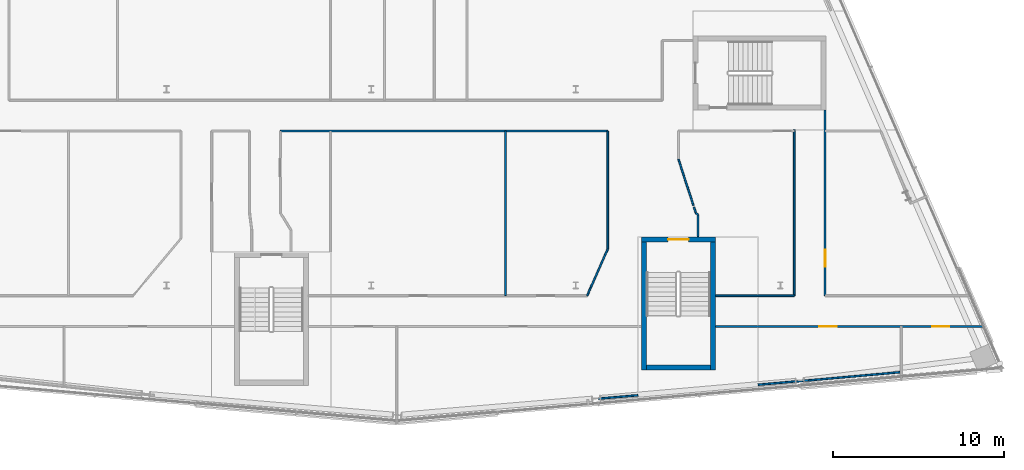
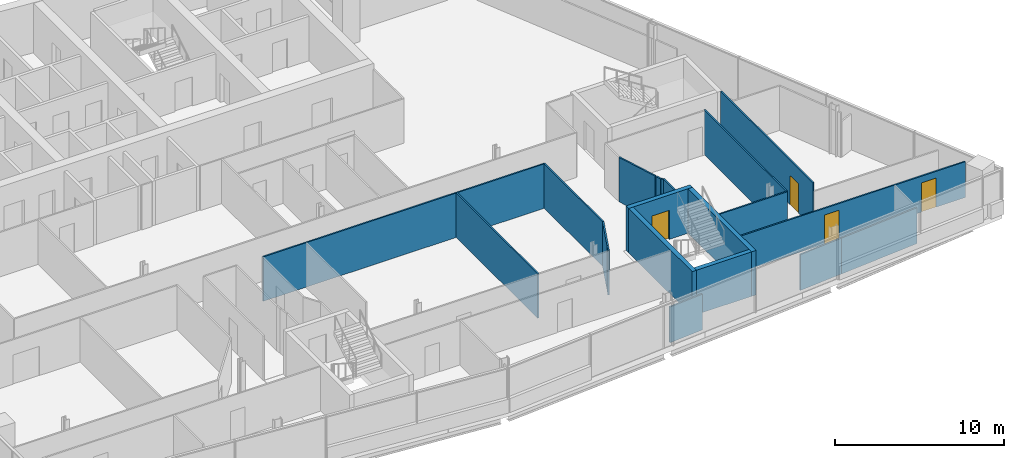
# One storey, part 16 of 22: 21 walls, 4 doors, 4 openings.
"""IFC4 building model written with IfcOpenShell, lengths in metres."""

import ifcopenshell
import ifcopenshell.guid

model = None  # the IFC model being written
_history = None  # IfcOwnerHistory: only IFC2X3 demands one
_inside = {}  # id of a spatial element -> (the spatial element, [elements in it])
_under = {}  # id of a project, library or spatial element -> (it, [spatial elements below it])
_declared = {}  # id of a project -> (the project, [libraries it declares])
_typed = {}  # id of a type object -> (the type object, [elements of that type])
_made_of = {}  # id of a material, layer set ... -> (it, [elements and type objects made of it])


def new_model(schema):
    """Start an empty IFC model of exactly this schema.

    Asked for "IFC4X3", IfcOpenShell would pick the latest addendum, in which some entities
    have other attributes; the version numbers below select the first issue.
    IFC2X3 requires an IfcOwnerHistory on every rooted entity: one is made here for all.
    """
    global model, _history
    if schema == "IFC4X3":
        model = ifcopenshell.file(schema_version=(4, 3, 0, 0))
    else:
        model = ifcopenshell.file(schema=schema)
    _inside.clear()
    _under.clear()
    _declared.clear()
    _typed.clear()
    _made_of.clear()
    _history = None
    if model.schema == "IFC2X3":
        org = make("IfcOrganization", Name="unknown")
        user = make(
            "IfcPersonAndOrganization",
            ThePerson=make("IfcPerson", FamilyName="unknown"),
            TheOrganization=org,
        )
        app = make(
            "IfcApplication",
            ApplicationDeveloper=org,
            Version="unknown",
            ApplicationFullName="unknown",
            ApplicationIdentifier="unknown",
        )
        _history = make(
            "IfcOwnerHistory",
            OwningUser=user,
            OwningApplication=app,
            ChangeAction="ADDED",
            CreationDate=0,
        )
    return model


def make(cls, **values):
    """One entity of the class cls with the attributes given. An attribute that is None is left unset."""
    return model.create_entity(
        cls, **{name: value for name, value in values.items() if value is not None}
    )


def rooted(cls, **values):
    """An entity with a GlobalId (a new one), such as an element, a storey or a relation."""
    return make(cls, GlobalId=ifcopenshell.guid.new(), OwnerHistory=_history, **values)


def si_unit(unit_type, name, prefix=None):
    """IfcSIUnit, for example si_unit("LENGTHUNIT", "METRE", prefix="MILLI")."""
    return make("IfcSIUnit", UnitType=unit_type, Prefix=prefix, Name=name)


def assignment(units):
    """IfcUnitAssignment: the units of a project."""
    return None if units is None else make("IfcUnitAssignment", Units=units)


def point(xyz):
    """IfcCartesianPoint."""
    return None if xyz is None else make("IfcCartesianPoint", Coordinates=xyz)


def direction(xyz):
    """IfcDirection."""
    return None if xyz is None else make("IfcDirection", DirectionRatios=xyz)


def frame(location, z_axis=None, x_axis=None):
    """IfcAxis2Placement3D, a coordinate frame: its origin and axes. An axis left out is left unset."""
    return make(
        "IfcAxis2Placement3D",
        Location=point(location),
        Axis=direction(z_axis),
        RefDirection=direction(x_axis),
    )


def frame_2d(location, x_axis=None):
    """IfcAxis2Placement2D, a coordinate frame in the plane: its origin and x axis."""
    return make(
        "IfcAxis2Placement2D", Location=point(location), RefDirection=direction(x_axis)
    )


def origin():
    """The frame at (0, 0, 0) with its axes left unset."""
    return frame((0.0, 0.0, 0.0))


def place(relative_to, where):
    """IfcLocalPlacement: puts the frame where relative to a parent placement (None: the world)."""
    return make(
        "IfcLocalPlacement", PlacementRelTo=relative_to, RelativePlacement=where
    )


def context(
    kind, dimensions, precision=None, world=None, true_north=None, identifier=None
):
    """IfcGeometricRepresentationContext, for example the 3D "Model" context."""
    return make(
        "IfcGeometricRepresentationContext",
        ContextIdentifier=identifier,
        ContextType=kind,
        CoordinateSpaceDimension=dimensions,
        Precision=precision,
        WorldCoordinateSystem=world,
        TrueNorth=true_north,
    )


def subcontext(parent, identifier, kind, view, scale=None):
    """IfcGeometricRepresentationSubContext, for example "Body" below "Model"."""
    return make(
        "IfcGeometricRepresentationSubContext",
        ContextIdentifier=identifier,
        ContextType=kind,
        ParentContext=parent,
        TargetScale=scale,
        TargetView=view,
    )


def project(units=None, contexts=None):
    """IfcProject with its units and contexts."""
    return rooted(
        "IfcProject",
        Name="project",
        RepresentationContexts=contexts,
        UnitsInContext=assignment(units),
    )


def spatial(cls, under=None, at=None, **own):
    """A site, building, storey or space (cls), placed at a placement, below another one or the project."""
    s = rooted(cls, ObjectPlacement=at, **own)
    if under is not None:
        _under.setdefault(under.id(), (under, []))[1].append(s)
    return s


def profile(cls, at=None, kind="AREA", **sizes):
    """A parametric profile (cls). Its sizes go by their IFC names, for example OverallWidth=200.0."""
    return make(cls, ProfileType=kind, Position=at, **sizes)


def rectangle(**sizes):
    """IfcRectangleProfileDef."""
    return profile("IfcRectangleProfileDef", **sizes)


def extrude(swept, where, along, depth):
    """IfcExtrudedAreaSolid: the profile swept, set in the frame where, extruded along a direction by depth."""
    return make(
        "IfcExtrudedAreaSolid",
        SweptArea=swept,
        Position=where,
        ExtrudedDirection=direction(along),
        Depth=depth,
    )


def shape(context_of_items, identifier, shape_type, items):
    """IfcShapeRepresentation: the items that make up one representation, for example the "Body"."""
    return make(
        "IfcShapeRepresentation",
        ContextOfItems=context_of_items,
        RepresentationIdentifier=identifier,
        RepresentationType=shape_type,
        Items=items,
    )


def material(Name=None, Category=None):
    """IfcMaterial."""
    return make("IfcMaterial", Name=Name, Category=Category)


def layer(
    of_material, thickness, ventilated=None, Name=None, Category=None, Priority=None
):
    """IfcMaterialLayer: one layer of a wall or slab, of a material (None: an air gap)."""
    return make(
        "IfcMaterialLayer",
        Material=of_material,
        LayerThickness=thickness,
        IsVentilated=ventilated,
        Name=Name,
        Category=Category,
        Priority=Priority,
    )


def layer_set(layers, Name=None):
    """IfcMaterialLayerSet."""
    return make("IfcMaterialLayerSet", MaterialLayers=layers, LayerSetName=Name)


def made_of(thing, what):
    """Note that an element or type object is made of a material, layer set ...; save() writes the relation."""
    if what is not None:
        _made_of.setdefault(what.id(), (what, []))[1].append(thing)
    return thing


def type_object(cls, material=None, **own):
    """A type object (cls), such as IfcWallType, which elements share."""
    return made_of(rooted(cls, **own), material)


def element(
    cls,
    number,
    at=None,
    inside=None,
    cuts=None,
    type_object=None,
    material=None,
    context=None,
    identifier="Body",
    shape_type=None,
    held_by="IfcProductDefinitionShape",
    body=None,
    shapes=None,
    **own,
):
    """One element of the class cls, such as IfcWall. Its Tag is "e" and its number.

    at: its placement. inside: the storey or other place that contains it. cuts: it is an
    opening in that element (IfcRelVoidsElement). A single representation is given by context,
    identifier, shape_type and body (its items); several are given by shapes. held_by: the class
    of the entity that holds the representations. save() writes the other relations.
    """
    e = rooted(cls, Tag="e%d" % number, ObjectPlacement=at, **own)
    if body is not None:
        shapes = [shape(context, identifier, shape_type, body)]
    if shapes is not None:
        e.Representation = make(held_by, Representations=shapes)
    if inside is not None:
        _inside.setdefault(inside.id(), (inside, []))[1].append(e)
    if cuts is not None:
        rooted(
            "IfcRelVoidsElement", RelatingBuildingElement=cuts, RelatedOpeningElement=e
        )
    if type_object is not None:
        _typed.setdefault(type_object.id(), (type_object, []))[1].append(e)
    return made_of(e, material)


def fill(opening, filler):
    """IfcRelFillsElement: the door or window that sits in an opening."""
    return rooted(
        "IfcRelFillsElement",
        RelatingOpeningElement=opening,
        RelatedBuildingElement=filler,
    )


def aggregate(whole, parts):
    """IfcRelAggregates: a whole, such as a stair, and the parts it consists of."""
    return rooted("IfcRelAggregates", RelatingObject=whole, RelatedObjects=parts)


def save(model, path):
    """Write the relations noted so far, then the file.

    IfcRelAggregates (storeys below a building ...), IfcRelContainedInSpatialStructure (elements
    in a storey), IfcRelDefinesByType, IfcRelAssociatesMaterial and IfcRelDeclares: one each for
    every whole, place, type object, material and project.
    """
    for whole, parts in _under.values():
        aggregate(whole, parts)
    for where, things in _inside.values():
        rooted(
            "IfcRelContainedInSpatialStructure",
            RelatedElements=things,
            RelatingStructure=where,
        )
    for kind, things in _typed.values():
        rooted("IfcRelDefinesByType", RelatedObjects=things, RelatingType=kind)
    for what, things in _made_of.values():
        rooted("IfcRelAssociatesMaterial", RelatedObjects=things, RelatingMaterial=what)
    for by, libraries in _declared.values():
        rooted("IfcRelDeclares", RelatingContext=by, RelatedDefinitions=libraries)
    model.write(path)


model = new_model("IFC4")

# Units and contexts
model_context = context("Model", 3, precision=1e-05, world=origin(), true_north=direction((0.0, 1.0)))
body_context = subcontext(model_context, "Body", "Model", "MODEL_VIEW")
ifc_project = project(units=[si_unit("LENGTHUNIT", "METRE"), si_unit("AREAUNIT", "SQUARE_METRE"), si_unit("VOLUMEUNIT", "CUBIC_METRE"), si_unit("PLANEANGLEUNIT", "RADIAN"), si_unit("MASSUNIT", "GRAM", prefix="KILO")], contexts=[model_context])

# Site, building, storey
site_placement = place(None, origin())
site = spatial("IfcSite", under=ifc_project, at=site_placement, CompositionType="ELEMENT")
building_placement = place(site_placement, origin())
building = spatial("IfcBuilding", under=site, at=building_placement, Name="Wharfspan Tower", CompositionType="ELEMENT")
storey_placement = place(building_placement, frame((0.0, 0.0, 246.699951)))
storey = spatial("IfcBuildingStorey", under=building, at=storey_placement, Name="L62", CompositionType="ELEMENT", Elevation=246.699951)

# Walls
ifc_material_1 = material(Name="Gypsum board on steel studs", Category="steel")
ifc_layer_1 = layer(ifc_material_1, 0.100098)
ifc_layer_set_1 = layer_set([ifc_layer_1], Name="Gypsum board on steel studs")
wall_type_1 = type_object("IfcWallType", Name="Compartment wall 100 EI 60", PredefinedType="PARTITIONING", material=ifc_layer_set_1)
wall_1_placement = place(storey_placement, frame((42.679932, 20.554932, 0.0), z_axis=(0.0, 0.0, 1.0), x_axis=(1.0, 0.0, 0.0)))
element("IfcWall", 1, at=wall_1_placement, inside=storey, type_object=wall_type_1, Name="Partition L62.w027", PredefinedType="PARTITIONING", context=body_context, shape_type="SweptSolid", body=[
    extrude(rectangle(XDim=19.190186, YDim=0.100098, at=frame_2d((9.595215, 0.0))), origin(), (0.0, 0.0, 1.0), 3.199951),
])
wall_2_placement = place(storey_placement, frame((55.875, 10.89502, 0.0), z_axis=(0.0, 0.0, 1.0), x_axis=(0.0, 1.0, 0.0)))
element("IfcWall", 2, at=wall_2_placement, inside=storey, type_object=wall_type_1, Name="Partition L62.w039", PredefinedType="PARTITIONING", context=body_context, shape_type="SweptSolid", body=[
    extrude(rectangle(XDim=9.659912, YDim=0.100098, at=frame_2d((4.830078, 0.0))), origin(), (0.0, 0.0, 1.0), 3.199951),
])
wall_3_placement = place(storey_placement, frame((60.669922, 10.899902, 0.0), z_axis=(0.0, 0.0, 1.0), x_axis=(0.409983, 0.912097, 0.0)))
element("IfcWall", 3, at=wall_3_placement, inside=storey, type_object=wall_type_1, Name="Partition L62.w041", PredefinedType="PARTITIONING", context=body_context, shape_type="SweptSolid", body=[
    extrude(rectangle(XDim=0.158936, YDim=0.100098, at=frame_2d((0.07959, 0.0))), origin(), (0.0, 0.0, 1.0), 3.199951),
])
wall_4_placement = place(storey_placement, frame((60.735107, 11.054932, 0.0), z_axis=(0.0, 0.0, 1.0), x_axis=(0.404577, 0.914505, 0.0)))
element("IfcWall", 4, at=wall_4_placement, inside=storey, type_object=wall_type_1, Name="Partition L62.w043", PredefinedType="PARTITIONING", context=body_context, shape_type="SweptSolid", body=[
    extrude(rectangle(XDim=0.33374, YDim=0.100098, at=frame_2d((0.166992, 0.0))), origin(), (0.0, 0.0, 1.0), 3.199951),
])
wall_5_placement = place(storey_placement, frame((60.870117, 11.360107, 0.0), z_axis=(0.0, 0.0, 1.0), x_axis=(0.403903, 0.914797, 0.0)))
element("IfcWall", 5, at=wall_5_placement, inside=storey, type_object=wall_type_1, Name="Partition L62.w044", PredefinedType="PARTITIONING", context=body_context, shape_type="SweptSolid", body=[
    extrude(rectangle(XDim=2.47583, YDim=0.100098, at=frame_2d((1.237793, 0.0))), origin(), (0.0, 0.0, 1.0), 3.199951),
])
wall_6_placement = place(storey_placement, frame((61.870117, 13.625, 0.0), z_axis=(0.0, 0.0, 1.0), x_axis=(0.0, 1.0, 0.0)))
element("IfcWall", 6, at=wall_6_placement, inside=storey, type_object=wall_type_1, Name="Partition L62.w046", PredefinedType="PARTITIONING", context=body_context, shape_type="SweptSolid", body=[
    extrude(rectangle(XDim=6.929932, YDim=0.100098, at=frame_2d((3.464844, 0.0))), origin(), (0.0, 0.0, 1.0), 3.199951),
])
wall_7_placement = place(storey_placement, frame((66.899902, 16.179932, 0.0), z_axis=(0.0, 0.0, 1.0), x_axis=(-0.306242, 0.95195, 0.0)))
element("IfcWall", 7, at=wall_7_placement, inside=storey, type_object=wall_type_1, Name="Partition L62.w051", PredefinedType="PARTITIONING", context=body_context, shape_type="SweptSolid", body=[
    extrude(rectangle(XDim=2.873047, YDim=0.100098, at=frame_2d((1.436523, 0.0))), origin(), (0.0, 0.0, 1.0), 3.199951),
])
wall_8_placement = place(storey_placement, frame((67.040039, 15.745117, 0.0), z_axis=(0.0, 0.0, 1.0), x_axis=(-0.304065, 0.952647, 0.0)))
element("IfcWall", 8, at=wall_8_placement, inside=storey, type_object=wall_type_1, Name="Partition L62.w052", PredefinedType="PARTITIONING", context=body_context, shape_type="SweptSolid", body=[
    extrude(rectangle(XDim=0.362061, YDim=0.100098, at=frame_2d((0.181152, 0.0))), origin(), (0.0, 0.0, 1.0), 3.199951),
])
wall_9_placement = place(storey_placement, frame((67.165039, 15.64502, 0.0), z_axis=(0.0, 0.0, 1.0), x_axis=(-0.780569, 0.625065, 0.0)))
element("IfcWall", 9, at=wall_9_placement, inside=storey, type_object=wall_type_1, Name="Partition L62.w053", PredefinedType="PARTITIONING", context=body_context, shape_type="SweptSolid", body=[
    extrude(rectangle(XDim=0.160156, YDim=0.100098, at=frame_2d((0.080078, 0.0))), origin(), (0.0, 0.0, 1.0), 3.199951),
])
wall_10_placement = place(storey_placement, frame((67.169922, 14.366211, 0.0), z_axis=(0.0, 0.0, 1.0), x_axis=(0.0, 1.0, 0.0)))
element("IfcWall", 10, at=wall_10_placement, inside=storey, type_object=wall_type_1, Name="Partition L62.w054", PredefinedType="PARTITIONING", context=body_context, shape_type="SweptSolid", body=[
    extrude(rectangle(XDim=1.278809, YDim=0.100098, at=frame_2d((0.639404, 0.0))), origin(), (0.0, 0.0, 1.0), 3.199951),
])

# Wall, openings, doors
wall_11_placement = place(storey_placement, frame((68.193848, 9.094971, 0.0), z_axis=(0.0, 0.0, 1.0), x_axis=(1.0, 0.0, 0.0)))
wall_11 = element("IfcWall", 11, at=wall_11_placement, inside=storey, type_object=wall_type_1, Name="Partition L62.w055", PredefinedType="PARTITIONING", context=body_context, shape_type="SweptSolid", body=[
    extrude(rectangle(XDim=15.699463, YDim=0.100098, at=frame_2d((7.849609, 0.0))), origin(), (0.0, 0.0, 1.0), 2.580078),
])
opening_1_placement = place(wall_11_placement, frame((6.096191, 0.0, 0.0)))
opening_1 = element("IfcOpeningElement", 12, at=opening_1_placement, cuts=wall_11, Name="Opening D5-05", PredefinedType="OPENING", context=body_context, shape_type="SweptSolid", body=[
    extrude(rectangle(XDim=1.0, YDim=2.100098, at=frame_2d((0.5, 1.050049))), frame((0.0, 0.060059, 0.0), z_axis=(0.0, -1.0, 0.0), x_axis=(1.0, 0.0, 0.0)), (0.0, 0.0, 1.0), 0.120117),
])
opening_2_placement = place(wall_11_placement, frame((12.711182, 0.0, 0.0)))
opening_2 = element("IfcOpeningElement", 13, at=opening_2_placement, cuts=wall_11, Name="Opening D5-06", PredefinedType="OPENING", context=body_context, shape_type="SweptSolid", body=[
    extrude(rectangle(XDim=1.0, YDim=2.100098, at=frame_2d((0.5, 1.050049))), frame((0.0, 0.060059, 0.0), z_axis=(0.0, -1.0, 0.0), x_axis=(1.0, 0.0, 0.0)), (0.0, 0.0, 1.0), 0.120117),
])
ifc_material_2 = material(Name="Fire-rated timber door leaf in steel frame", Category="steel")
door_type_1 = type_object("IfcDoorType", Name="Door 1000 FD30S Left", OperationType="SINGLE_SWING_LEFT", PredefinedType="DOOR", material=ifc_material_2)
door_1_placement = place(opening_1_placement, origin())
door_1 = element("IfcDoor", 14, at=door_1_placement, inside=storey, type_object=door_type_1, Name="Door D5-05", OperationType="SINGLE_SWING_LEFT", OverallHeight=2.100098, OverallWidth=1.0, PredefinedType="DOOR", context=body_context, shape_type="SweptSolid", body=[
    extrude(rectangle(XDim=1.0, YDim=2.100098, at=frame_2d((0.5, 1.050049))), frame((0.0, 0.024902, 0.0), z_axis=(0.0, -1.0, 0.0), x_axis=(1.0, 0.0, 0.0)), (0.0, 0.0, 1.0), 0.050049),
])
fill(opening_1, door_1)
door_type_2 = type_object("IfcDoorType", Name="Door 1000 FD30S Right", OperationType="SINGLE_SWING_RIGHT", PredefinedType="DOOR", material=ifc_material_2)
door_2_placement = place(opening_2_placement, origin())
door_2 = element("IfcDoor", 15, at=door_2_placement, inside=storey, type_object=door_type_2, Name="Door D5-06", OperationType="SINGLE_SWING_RIGHT", OverallHeight=2.100098, OverallWidth=1.0, PredefinedType="DOOR", context=body_context, shape_type="SweptSolid", body=[
    extrude(rectangle(XDim=1.0, YDim=2.100098, at=frame_2d((0.5, 1.050049))), frame((0.0, 0.024902, 0.0), z_axis=(0.0, -1.0, 0.0), x_axis=(1.0, 0.0, 0.0)), (0.0, 0.0, 1.0), 0.050049),
])
fill(opening_2, door_2)

# Walls
wall_12_placement = place(storey_placement, frame((68.193848, 10.89502, 0.0), z_axis=(0.0, 0.0, 1.0), x_axis=(1.0, 0.0, 0.0)))
element("IfcWall", 16, at=wall_12_placement, inside=storey, type_object=wall_type_1, Name="Partition L62.w056", PredefinedType="PARTITIONING", context=body_context, shape_type="SweptSolid", body=[
    extrude(rectangle(XDim=4.621094, YDim=0.100098, at=frame_2d((2.310547, 0.0))), origin(), (0.0, 0.0, 1.0), 3.199951),
])
wall_13_placement = place(storey_placement, frame((72.814941, 10.899902, 0.0), z_axis=(0.0, 0.0, 1.0), x_axis=(0.0, 1.0, 0.0)))
element("IfcWall", 17, at=wall_13_placement, inside=storey, type_object=wall_type_1, Name="Partition L62.w058", PredefinedType="PARTITIONING", context=body_context, shape_type="SweptSolid", body=[
    extrude(rectangle(XDim=9.725098, YDim=0.100098, at=frame_2d((4.862549, 0.0))), origin(), (0.0, 0.0, 1.0), 3.199951),
])

# Wall, opening, door
wall_14_placement = place(storey_placement, frame((74.620117, 10.89502, 0.0), z_axis=(0.0, 0.0, 1.0), x_axis=(0.0, 1.0, 0.0)))
wall_14 = element("IfcWall", 18, at=wall_14_placement, inside=storey, type_object=wall_type_1, Name="Partition L62.w061", PredefinedType="PARTITIONING", context=body_context, shape_type="SweptSolid", body=[
    extrude(rectangle(XDim=10.879883, YDim=0.100098, at=frame_2d((5.439941, 0.0))), origin(), (0.0, 0.0, 1.0), 3.199951),
])
opening_3_placement = place(wall_14_placement, frame((1.702881, 0.0, 0.0)))
opening_3 = element("IfcOpeningElement", 19, at=opening_3_placement, cuts=wall_14, Name="Opening D5-10", PredefinedType="OPENING", context=body_context, shape_type="SweptSolid", body=[
    extrude(rectangle(XDim=1.0, YDim=2.100098, at=frame_2d((0.5, 1.050049))), frame((0.0, 0.060059, 0.0), z_axis=(0.0, -1.0, 0.0), x_axis=(1.0, 0.0, 0.0)), (0.0, 0.0, 1.0), 0.120117),
])
door_3_placement = place(opening_3_placement, origin())
door_3 = element("IfcDoor", 20, at=door_3_placement, inside=storey, type_object=door_type_1, Name="Door D5-10", OperationType="SINGLE_SWING_LEFT", OverallHeight=2.100098, OverallWidth=1.0, PredefinedType="DOOR", context=body_context, shape_type="SweptSolid", body=[
    extrude(rectangle(XDim=1.0, YDim=2.100098, at=frame_2d((0.5, 1.050049))), frame((0.0, 0.024902, 0.0), z_axis=(0.0, -1.0, 0.0), x_axis=(1.0, 0.0, 0.0)), (0.0, 0.0, 1.0), 0.050049),
])
fill(opening_3, door_3)

# Walls
ifc_layer_2 = layer(ifc_material_1, 0.100098)
ifc_layer_set_2 = layer_set([ifc_layer_2], Name="Gypsum board on steel studs")
wall_type_2 = type_object("IfcWallType", Name="Partition 100", PredefinedType="PARTITIONING", material=ifc_layer_set_2)
wall_15_placement = place(storey_placement, frame((61.334961, 4.860107, 0.0), z_axis=(0.0, 0.0, 1.0), x_axis=(0.996359, 0.085264, 0.0)))
element("IfcWall", 21, at=wall_15_placement, inside=storey, type_object=wall_type_2, Name="Partition L62.w045", PredefinedType="PARTITIONING", context=body_context, shape_type="SweptSolid", body=[
    extrude(rectangle(XDim=2.322266, YDim=0.100098, at=frame_2d((1.161133, 0.0))), origin(), (0.0, 0.0, 1.0), 2.580078),
])
wall_16_placement = place(storey_placement, frame((70.688721, 5.676514, 0.0), z_axis=(0.0, 0.0, 1.0), x_axis=(0.996174, 0.087417, 0.0)))
element("IfcWall", 22, at=wall_16_placement, inside=storey, type_object=wall_type_2, Name="Partition L62.w057", PredefinedType="PARTITIONING", context=body_context, shape_type="SweptSolid", body=[
    extrude(rectangle(XDim=2.95752, YDim=0.100098, at=frame_2d((1.47876, 0.0))), origin(), (0.0, 0.0, 1.0), 2.580078),
])
wall_17_placement = place(storey_placement, frame((73.63501, 5.929932, 0.0), z_axis=(0.0, 0.0, 1.0), x_axis=(0.996013, 0.089228, 0.0)))
element("IfcWall", 23, at=wall_17_placement, inside=storey, type_object=wall_type_2, Name="Partition L62.w059", PredefinedType="PARTITIONING", context=body_context, shape_type="SweptSolid", body=[
    extrude(rectangle(XDim=5.436768, YDim=0.100098, at=frame_2d((2.718262, 0.0))), origin(), (0.0, 0.0, 1.0), 2.580078),
])

# Wall, opening, door
ifc_material_3 = material(Name="Concrete C40/50", Category="concrete")
ifc_layer_3 = layer(ifc_material_3, 0.300049)
ifc_layer_set_3 = layer_set([ifc_layer_3], Name="Concrete C40/50")
wall_type_3 = type_object("IfcWallType", Name="Stair core wall 300", PredefinedType="SHEAR", material=ifc_layer_set_3)
wall_18_placement = place(storey_placement, frame((63.84375, 14.196289, 0.0), z_axis=(0.0, 0.0, 1.0), x_axis=(1.0, 0.0, 0.0)))
wall_18 = element("IfcWall", 24, at=wall_18_placement, inside=storey, type_object=wall_type_3, Name="ST5 stair enclosure wall L62", PredefinedType="SHEAR", context=body_context, shape_type="SweptSolid", body=[
    extrude(rectangle(XDim=4.350098, YDim=0.300049, at=frame_2d((2.175049, 0.0))), origin(), (0.0, 0.0, 1.0), 3.199951),
])
opening_4_placement = place(wall_18_placement, frame((1.574951, 0.0, 0.0)))
opening_4 = element("IfcOpeningElement", 25, at=opening_4_placement, cuts=wall_18, Name="Opening SD5.L62", PredefinedType="OPENING", context=body_context, shape_type="SweptSolid", body=[
    extrude(rectangle(XDim=1.199951, YDim=2.100098, at=frame_2d((0.600098, 1.050049))), frame((0.0, 0.159912, 0.0), z_axis=(0.0, -1.0, 0.0), x_axis=(1.0, 0.0, 0.0)), (0.0, 0.0, 1.0), 0.320068),
])
ifc_material_4 = material(Name="Steel door leaf", Category="steel")
door_type_3 = type_object("IfcDoorType", Name="Stair door 1200x2100", OperationType="SINGLE_SWING_LEFT", PredefinedType="DOOR", material=ifc_material_4)
door_4_placement = place(opening_4_placement, origin())
door_4 = element("IfcDoor", 26, at=door_4_placement, inside=storey, type_object=door_type_3, Name="sd:L62:ST5z4", OperationType="SINGLE_SWING_RIGHT", OverallHeight=2.100098, OverallWidth=1.199951, PredefinedType="DOOR", context=body_context, shape_type="SweptSolid", body=[
    extrude(rectangle(XDim=1.199951, YDim=2.100098, at=frame_2d((0.600098, 1.050049))), frame((0.0, 0.024902, 0.0), z_axis=(0.0, -1.0, 0.0), x_axis=(1.0, 0.0, 0.0)), (0.0, 0.0, 1.0), 0.050049),
])
fill(opening_4, door_4)

# Walls
for number, where, z_axis, x_axis, name in (
    (27, (63.993896, 6.546143, 0.0), (0.0, 0.0, 1.0), (0.0, 1.0, 0.0), "ST5 stair enclosure wall L62"),
    (28, (68.043701, 6.546143, 0.0), (0.0, 0.0, 1.0), (0.0, 1.0, 0.0), "ST5 stair enclosure wall L62"),
):
    element("IfcWall", number, at=place(storey_placement, frame(where, z_axis=z_axis, x_axis=x_axis)), inside=storey, type_object=wall_type_3, Name=name, PredefinedType="SHEAR", context=body_context, shape_type="SweptSolid", body=[
        extrude(rectangle(XDim=7.5, YDim=0.300049, at=frame_2d((3.75, 0.0))), origin(), (0.0, 0.0, 1.0), 3.199951),
    ])
wall_19_placement = place(storey_placement, frame((64.143799, 6.696289, 0.0), z_axis=(0.0, 0.0, 1.0), x_axis=(1.0, 0.0, 0.0)))
element("IfcWall", 29, at=wall_19_placement, inside=storey, type_object=wall_type_3, Name="ST5 stair enclosure wall L62", PredefinedType="SHEAR", context=body_context, shape_type="SweptSolid", body=[
    extrude(rectangle(XDim=3.75, YDim=0.300049, at=frame_2d((1.875, 0.0))), origin(), (0.0, 0.0, 1.0), 3.199951),
])

save(model, "model.ifc")
